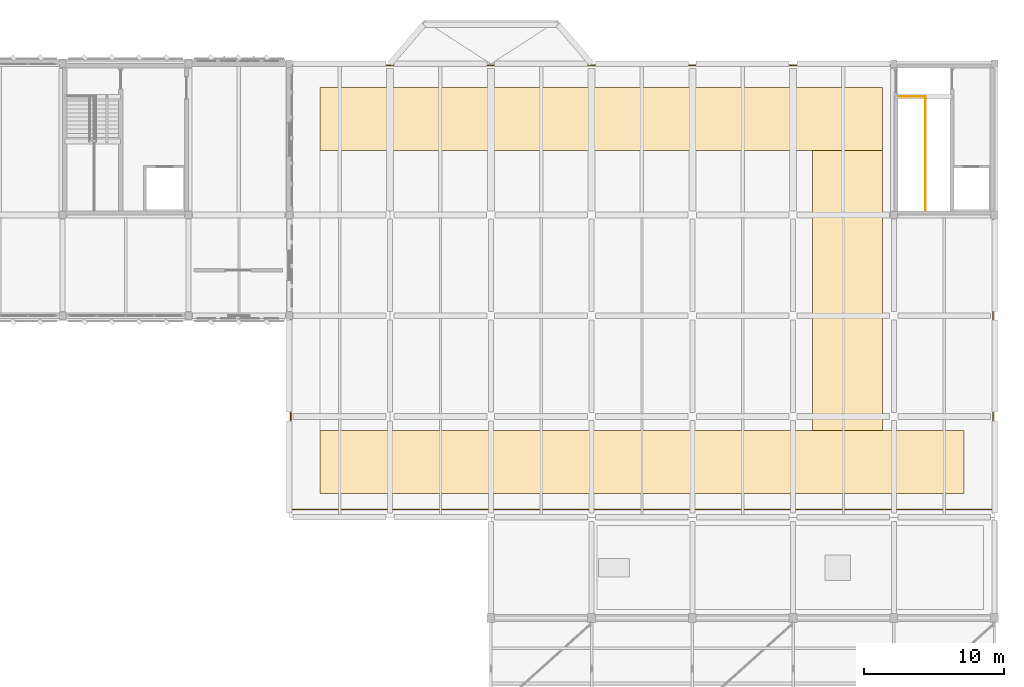
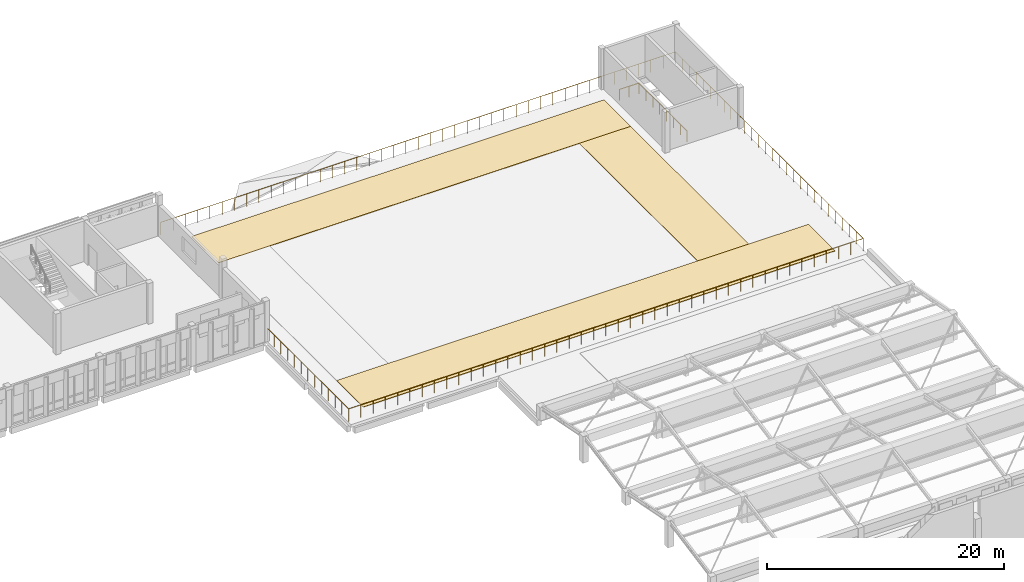
# One storey, part 72 of 72: 3 coverings, 2 railings.
"""IFC4 building model written with IfcOpenShell, lengths in metres."""

from ifc_helpers import new_model, si_unit, direction, frame, origin, origin_2d, place, context, subcontext, project, spatial, polyline, circle, outline, extrude, material, layer, layer_set, type_object, element, save


model = new_model("IFC4")

# Units and contexts
model_context = context("Model", 3, precision=1e-05, world=origin(), true_north=direction((0.0, 1.0)))
body_context = subcontext(model_context, "Body", "Model", "MODEL_VIEW")
ifc_project = project(units=[si_unit("LENGTHUNIT", "METRE"), si_unit("AREAUNIT", "SQUARE_METRE"), si_unit("VOLUMEUNIT", "CUBIC_METRE"), si_unit("PLANEANGLEUNIT", "RADIAN"), si_unit("MASSUNIT", "GRAM", prefix="KILO")], contexts=[model_context])

# Site, building, storey
site_placement = place(None, origin())
site = spatial("IfcSite", under=ifc_project, at=site_placement, CompositionType="ELEMENT")
building_placement = place(site_placement, origin())
building = spatial("IfcBuilding", under=site, at=building_placement, Name="Lusvemor Sports Hall", CompositionType="ELEMENT")
storey_placement = place(building_placement, frame((0.0, 0.0, 15.0)))
storey = spatial("IfcBuildingStorey", under=building, at=storey_placement, Name="L03", CompositionType="ELEMENT", Elevation=15.0)

# Coverings
ifc_material_1 = material(Name="Shock-absorbing red EPDM athletic running track surface")
ifc_layer = layer(ifc_material_1, 0.0439453125)
ifc_layer_set = layer_set([ifc_layer], Name="Shock-absorbing red EPDM athletic running track surface")
covering_type = type_object("IfcCoveringType", Name="COV_TRACK_EPDM", PredefinedType="FLOORING", material=ifc_layer_set)
covering_1_placement = place(storey_placement, origin())
element("IfcCovering", 1, at=covering_1_placement, inside=storey, type_object=covering_type, Name="Athletic EPDM Surface 1", PredefinedType="FLOORING", context=body_context, shape_type="SweptSolid", body=[
    extrude(outline(polyline([(121.0, 84.5), (167.0, 84.5), (167.0, 89.0), (121.0, 89.0), (121.0, 84.5)])), origin(), (0.0, 0.0, 1.0), 0.0439453125),
])
covering_2_placement = place(storey_placement, origin())
element("IfcCovering", 2, at=covering_2_placement, inside=storey, type_object=covering_type, Name="Athletic EPDM Surface 2", PredefinedType="FLOORING", context=body_context, shape_type="SweptSolid", body=[
    extrude(outline(polyline([(121.0, 109.0), (161.199951171875, 109.0), (161.199951171875, 113.5), (121.0, 113.5), (121.0, 109.0)])), origin(), (0.0, 0.0, 1.0), 0.0439453125),
])
covering_3_placement = place(storey_placement, origin())
element("IfcCovering", 3, at=covering_3_placement, inside=storey, type_object=covering_type, Name="Athletic EPDM Surface 4", PredefinedType="FLOORING", context=body_context, shape_type="SweptSolid", body=[
    extrude(outline(polyline([(156.199951171875, 89.0), (161.199951171875, 89.0), (161.199951171875, 109.0), (156.199951171875, 109.0), (156.199951171875, 89.0)])), origin(), (0.0, 0.0, 1.0), 0.0439453125),
])

# Railings
ifc_material_2 = material(Name="Bronze-finished wrought-steel Art Nouveau balustrade", Category="steel")
railing_type_1 = type_object("IfcRailingType", Name="RAIL_STAIR_GUARD_112", PredefinedType="GUARDRAIL", material=ifc_material_2)
railing_1_placement = place(storey_placement, frame((162.340087890625, 112.8701171875, 0.0)))
element("IfcRailing", 4, at=railing_1_placement, inside=storey, type_object=railing_type_1, Name="Stairwell C5 Top Guard (L03)", PredefinedType="GUARDRAIL", context=body_context, shape_type="SweptSolid", body=[
    extrude(circle(Radius=0.02392578125, at=origin_2d()), frame((0.0, 0.0, 1.09619140625), z_axis=(1.0, 0.0, 0.0), x_axis=(0.0, 1.0, 0.0)), (0.0, 0.0, 1.0), 1.919921875),
    extrude(circle(Radius=0.02392578125, at=origin_2d()), frame((1.919921875, 0.0, 1.09619140625), z_axis=(0.0, -1.0, 0.0), x_axis=(1.0, 0.0, 0.0)), (0.0, 0.0, 1.0), 8.130126953125),
    extrude(circle(Radius=0.02099609375, at=origin_2d()), origin(), (0.0, 0.0, 1.0), 1.072021484375),
    extrude(circle(Radius=0.02099609375, at=origin_2d()), frame((0.9599609375, 0.0, 0.0)), (0.0, 0.0, 1.0), 1.072021484375),
    extrude(circle(Radius=0.02099609375, at=origin_2d()), frame((1.919921875, 0.0, 0.0)), (0.0, 0.0, 1.0), 1.072021484375),
    extrude(circle(Radius=0.02099609375, at=origin_2d()), frame((1.919921875, -1.161376953125, 0.0)), (0.0, 0.0, 1.0), 1.072021484375),
    extrude(circle(Radius=0.02099609375, at=origin_2d()), frame((1.919921875, -2.322998046875, 0.0)), (0.0, 0.0, 1.0), 1.072021484375),
    extrude(circle(Radius=0.02099609375, at=origin_2d()), frame((1.919921875, -3.484375, 0.0)), (0.0, 0.0, 1.0), 1.072021484375),
    extrude(circle(Radius=0.02099609375, at=origin_2d()), frame((1.919921875, -4.645751953125, 0.0)), (0.0, 0.0, 1.0), 1.072021484375),
    extrude(circle(Radius=0.02099609375, at=origin_2d()), frame((1.919921875, -5.80712890625, 0.0)), (0.0, 0.0, 1.0), 1.072021484375),
    extrude(circle(Radius=0.02099609375, at=origin_2d()), frame((1.919921875, -6.96875, 0.0)), (0.0, 0.0, 1.0), 1.072021484375),
    extrude(circle(Radius=0.02099609375, at=origin_2d()), frame((1.919921875, -8.130126953125, 0.0)), (0.0, 0.0, 1.0), 1.072021484375),
])
ifc_material_3 = material(Name="Bronze-finished wrought-steel Art Nouveau balustrade", Category="steel")
railing_type_2 = type_object("IfcRailingType", Name="RAIL_TRACK_BAL_130", PredefinedType="BALUSTRADE", material=ifc_material_3)
railing_2_placement = place(storey_placement, frame((118.89990234375, 97.10009765625, 0.0)))
element("IfcRailing", 5, at=railing_2_placement, inside=storey, type_object=railing_type_2, Name="Oval Rooftop Running Track Balustrade", PredefinedType="BALUSTRADE", context=body_context, shape_type="SweptSolid", body=[
    extrude(circle(Radius=0.02392578125, at=origin_2d()), frame((0.0, 0.0, 1.27587890625), z_axis=(0.0, -1.0, 0.0), x_axis=(1.0, 0.0, 0.0)), (0.0, 0.0, 1.0), 13.75),
    extrude(circle(Radius=0.02392578125, at=origin_2d()), frame((0.0, -13.75, 1.27587890625), z_axis=(1.0, 0.0, 0.0), x_axis=(0.0, 1.0, 0.0)), (0.0, 0.0, 1.0), 50.18017578125),
    extrude(circle(Radius=0.02392578125, at=origin_2d()), frame((50.18017578125, -13.75, 1.27587890625), z_axis=(0.0, 1.0, 0.0), x_axis=(-1.0, 0.0, 0.0)), (0.0, 0.0, 1.0), 31.72998046875),
    extrude(circle(Radius=0.02392578125, at=origin_2d()), frame((50.18017578125, 17.97998046875, 1.27587890625), z_axis=(-1.0, 0.0, 0.0), x_axis=(0.0, -1.0, 0.0)), (0.0, 0.0, 1.0), 50.18017578125),
    extrude(circle(Radius=0.02099609375, at=origin_2d()), origin(), (0.0, 0.0, 1.0), 1.251953125),
    extrude(circle(Radius=0.02099609375, at=origin_2d()), frame((0.0, -1.145751953125, 0.0)), (0.0, 0.0, 1.0), 1.251953125),
    extrude(circle(Radius=0.02099609375, at=origin_2d()), frame((0.0, -2.291748046875, 0.0)), (0.0, 0.0, 1.0), 1.251953125),
    extrude(circle(Radius=0.02099609375, at=origin_2d()), frame((0.0, -3.4375, 0.0)), (0.0, 0.0, 1.0), 1.251953125),
    extrude(circle(Radius=0.02099609375, at=origin_2d()), frame((0.0, -4.583251953125, 0.0)), (0.0, 0.0, 1.0), 1.251953125),
    extrude(circle(Radius=0.02099609375, at=origin_2d()), frame((0.0, -5.729248046875, 0.0)), (0.0, 0.0, 1.0), 1.251953125),
    extrude(circle(Radius=0.02099609375, at=origin_2d()), frame((0.0, -6.875, 0.0)), (0.0, 0.0, 1.0), 1.251953125),
    extrude(circle(Radius=0.02099609375, at=origin_2d()), frame((0.0, -8.020751953125, 0.0)), (0.0, 0.0, 1.0), 1.251953125),
    extrude(circle(Radius=0.02099609375, at=origin_2d()), frame((0.0, -9.166748046875, 0.0)), (0.0, 0.0, 1.0), 1.251953125),
    extrude(circle(Radius=0.02099609375, at=origin_2d()), frame((0.0, -10.3125, 0.0)), (0.0, 0.0, 1.0), 1.251953125),
    extrude(circle(Radius=0.02099609375, at=origin_2d()), frame((0.0, -11.458251953125, 0.0)), (0.0, 0.0, 1.0), 1.251953125),
    extrude(circle(Radius=0.02099609375, at=origin_2d()), frame((0.0, -12.604248046875, 0.0)), (0.0, 0.0, 1.0), 1.251953125),
    extrude(circle(Radius=0.02099609375, at=origin_2d()), frame((0.0, -13.75, 0.0)), (0.0, 0.0, 1.0), 1.251953125),
    extrude(circle(Radius=0.02099609375, at=origin_2d()), frame((1.19482421875, -13.75, 0.0)), (0.0, 0.0, 1.0), 1.251953125),
    extrude(circle(Radius=0.02099609375, at=origin_2d()), frame((2.3896484375, -13.75, 0.0)), (0.0, 0.0, 1.0), 1.251953125),
    extrude(circle(Radius=0.02099609375, at=origin_2d()), frame((3.584228515625, -13.75, 0.0)), (0.0, 0.0, 1.0), 1.251953125),
    extrude(circle(Radius=0.02099609375, at=origin_2d()), frame((4.779052734375, -13.75, 0.0)), (0.0, 0.0, 1.0), 1.251953125),
    extrude(circle(Radius=0.02099609375, at=origin_2d()), frame((5.973876953125, -13.75, 0.0)), (0.0, 0.0, 1.0), 1.251953125),
    extrude(circle(Radius=0.02099609375, at=origin_2d()), frame((7.168701171875, -13.75, 0.0)), (0.0, 0.0, 1.0), 1.251953125),
    extrude(circle(Radius=0.02099609375, at=origin_2d()), frame((8.36328125, -13.75, 0.0)), (0.0, 0.0, 1.0), 1.251953125),
    extrude(circle(Radius=0.02099609375, at=origin_2d()), frame((9.55810546875, -13.75, 0.0)), (0.0, 0.0, 1.0), 1.251953125),
    extrude(circle(Radius=0.02099609375, at=origin_2d()), frame((10.7529296875, -13.75, 0.0)), (0.0, 0.0, 1.0), 1.251953125),
    extrude(circle(Radius=0.02099609375, at=origin_2d()), frame((11.94775390625, -13.75, 0.0)), (0.0, 0.0, 1.0), 1.251953125),
    extrude(circle(Radius=0.02099609375, at=origin_2d()), frame((13.142333984375, -13.75, 0.0)), (0.0, 0.0, 1.0), 1.251953125),
    extrude(circle(Radius=0.02099609375, at=origin_2d()), frame((14.337158203125, -13.75, 0.0)), (0.0, 0.0, 1.0), 1.251953125),
    extrude(circle(Radius=0.02099609375, at=origin_2d()), frame((15.531982421875, -13.75, 0.0)), (0.0, 0.0, 1.0), 1.251953125),
    extrude(circle(Radius=0.02099609375, at=origin_2d()), frame((16.726806640625, -13.75, 0.0)), (0.0, 0.0, 1.0), 1.251953125),
    extrude(circle(Radius=0.02099609375, at=origin_2d()), frame((17.92138671875, -13.75, 0.0)), (0.0, 0.0, 1.0), 1.251953125),
    extrude(circle(Radius=0.02099609375, at=origin_2d()), frame((19.1162109375, -13.75, 0.0)), (0.0, 0.0, 1.0), 1.251953125),
    extrude(circle(Radius=0.02099609375, at=origin_2d()), frame((20.31103515625, -13.75, 0.0)), (0.0, 0.0, 1.0), 1.251953125),
    extrude(circle(Radius=0.02099609375, at=origin_2d()), frame((21.505859375, -13.75, 0.0)), (0.0, 0.0, 1.0), 1.251953125),
    extrude(circle(Radius=0.02099609375, at=origin_2d()), frame((22.700439453125, -13.75, 0.0)), (0.0, 0.0, 1.0), 1.251953125),
    extrude(circle(Radius=0.02099609375, at=origin_2d()), frame((23.895263671875, -13.75, 0.0)), (0.0, 0.0, 1.0), 1.251953125),
    extrude(circle(Radius=0.02099609375, at=origin_2d()), frame((25.090087890625, -13.75, 0.0)), (0.0, 0.0, 1.0), 1.251953125),
    extrude(circle(Radius=0.02099609375, at=origin_2d()), frame((26.284912109375, -13.75, 0.0)), (0.0, 0.0, 1.0), 1.251953125),
    extrude(circle(Radius=0.02099609375, at=origin_2d()), frame((27.479736328125, -13.75, 0.0)), (0.0, 0.0, 1.0), 1.251953125),
    extrude(circle(Radius=0.02099609375, at=origin_2d()), frame((28.67431640625, -13.75, 0.0)), (0.0, 0.0, 1.0), 1.251953125),
    extrude(circle(Radius=0.02099609375, at=origin_2d()), frame((29.869140625, -13.75, 0.0)), (0.0, 0.0, 1.0), 1.251953125),
    extrude(circle(Radius=0.02099609375, at=origin_2d()), frame((31.06396484375, -13.75, 0.0)), (0.0, 0.0, 1.0), 1.251953125),
    extrude(circle(Radius=0.02099609375, at=origin_2d()), frame((32.2587890625, -13.75, 0.0)), (0.0, 0.0, 1.0), 1.251953125),
    extrude(circle(Radius=0.02099609375, at=origin_2d()), frame((33.453369140625, -13.75, 0.0)), (0.0, 0.0, 1.0), 1.251953125),
    extrude(circle(Radius=0.02099609375, at=origin_2d()), frame((34.648193359375, -13.75, 0.0)), (0.0, 0.0, 1.0), 1.251953125),
    extrude(circle(Radius=0.02099609375, at=origin_2d()), frame((35.843017578125, -13.75, 0.0)), (0.0, 0.0, 1.0), 1.251953125),
    extrude(circle(Radius=0.02099609375, at=origin_2d()), frame((37.037841796875, -13.75, 0.0)), (0.0, 0.0, 1.0), 1.251953125),
    extrude(circle(Radius=0.02099609375, at=origin_2d()), frame((38.232421875, -13.75, 0.0)), (0.0, 0.0, 1.0), 1.251953125),
    extrude(circle(Radius=0.02099609375, at=origin_2d()), frame((39.42724609375, -13.75, 0.0)), (0.0, 0.0, 1.0), 1.251953125),
    extrude(circle(Radius=0.02099609375, at=origin_2d()), frame((40.6220703125, -13.75, 0.0)), (0.0, 0.0, 1.0), 1.251953125),
    extrude(circle(Radius=0.02099609375, at=origin_2d()), frame((41.81689453125, -13.75, 0.0)), (0.0, 0.0, 1.0), 1.251953125),
    extrude(circle(Radius=0.02099609375, at=origin_2d()), frame((43.011474609375, -13.75, 0.0)), (0.0, 0.0, 1.0), 1.251953125),
    extrude(circle(Radius=0.02099609375, at=origin_2d()), frame((44.206298828125, -13.75, 0.0)), (0.0, 0.0, 1.0), 1.251953125),
    extrude(circle(Radius=0.02099609375, at=origin_2d()), frame((45.401123046875, -13.75, 0.0)), (0.0, 0.0, 1.0), 1.251953125),
    extrude(circle(Radius=0.02099609375, at=origin_2d()), frame((46.595947265625, -13.75, 0.0)), (0.0, 0.0, 1.0), 1.251953125),
    extrude(circle(Radius=0.02099609375, at=origin_2d()), frame((47.79052734375, -13.75, 0.0)), (0.0, 0.0, 1.0), 1.251953125),
    extrude(circle(Radius=0.02099609375, at=origin_2d()), frame((48.9853515625, -13.75, 0.0)), (0.0, 0.0, 1.0), 1.251953125),
    extrude(circle(Radius=0.02099609375, at=origin_2d()), frame((50.18017578125, -13.75, 0.0)), (0.0, 0.0, 1.0), 1.251953125),
    extrude(circle(Radius=0.02099609375, at=origin_2d()), frame((50.18017578125, -12.57470703125, 0.0)), (0.0, 0.0, 1.0), 1.251953125),
    extrude(circle(Radius=0.02099609375, at=origin_2d()), frame((50.18017578125, -11.399658203125, 0.0)), (0.0, 0.0, 1.0), 1.251953125),
    extrude(circle(Radius=0.02099609375, at=origin_2d()), frame((50.18017578125, -10.224365234375, 0.0)), (0.0, 0.0, 1.0), 1.251953125),
    extrude(circle(Radius=0.02099609375, at=origin_2d()), frame((50.18017578125, -9.04931640625, 0.0)), (0.0, 0.0, 1.0), 1.251953125),
    extrude(circle(Radius=0.02099609375, at=origin_2d()), frame((50.18017578125, -7.8740234375, 0.0)), (0.0, 0.0, 1.0), 1.251953125),
    extrude(circle(Radius=0.02099609375, at=origin_2d()), frame((50.18017578125, -6.698974609375, 0.0)), (0.0, 0.0, 1.0), 1.251953125),
    extrude(circle(Radius=0.02099609375, at=origin_2d()), frame((50.18017578125, -5.523681640625, 0.0)), (0.0, 0.0, 1.0), 1.251953125),
    extrude(circle(Radius=0.02099609375, at=origin_2d()), frame((50.18017578125, -4.3486328125, 0.0)), (0.0, 0.0, 1.0), 1.251953125),
    extrude(circle(Radius=0.02099609375, at=origin_2d()), frame((50.18017578125, -3.17333984375, 0.0)), (0.0, 0.0, 1.0), 1.251953125),
    extrude(circle(Radius=0.02099609375, at=origin_2d()), frame((50.18017578125, -1.998046875, 0.0)), (0.0, 0.0, 1.0), 1.251953125),
    extrude(circle(Radius=0.02099609375, at=origin_2d()), frame((50.18017578125, -0.822998046875, 0.0)), (0.0, 0.0, 1.0), 1.251953125),
    extrude(circle(Radius=0.02099609375, at=origin_2d()), frame((50.18017578125, 0.352294921875, 0.0)), (0.0, 0.0, 1.0), 1.251953125),
    extrude(circle(Radius=0.02099609375, at=origin_2d()), frame((50.18017578125, 1.52734375, 0.0)), (0.0, 0.0, 1.0), 1.251953125),
    extrude(circle(Radius=0.02099609375, at=origin_2d()), frame((50.18017578125, 2.70263671875, 0.0)), (0.0, 0.0, 1.0), 1.251953125),
    extrude(circle(Radius=0.02099609375, at=origin_2d()), frame((50.18017578125, 3.877685546875, 0.0)), (0.0, 0.0, 1.0), 1.251953125),
    extrude(circle(Radius=0.02099609375, at=origin_2d()), frame((50.18017578125, 5.052978515625, 0.0)), (0.0, 0.0, 1.0), 1.251953125),
    extrude(circle(Radius=0.02099609375, at=origin_2d()), frame((50.18017578125, 6.22802734375, 0.0)), (0.0, 0.0, 1.0), 1.251953125),
    extrude(circle(Radius=0.02099609375, at=origin_2d()), frame((50.18017578125, 7.4033203125, 0.0)), (0.0, 0.0, 1.0), 1.251953125),
    extrude(circle(Radius=0.02099609375, at=origin_2d()), frame((50.18017578125, 8.57861328125, 0.0)), (0.0, 0.0, 1.0), 1.251953125),
    extrude(circle(Radius=0.02099609375, at=origin_2d()), frame((50.18017578125, 9.753662109375, 0.0)), (0.0, 0.0, 1.0), 1.251953125),
    extrude(circle(Radius=0.02099609375, at=origin_2d()), frame((50.18017578125, 10.928955078125, 0.0)), (0.0, 0.0, 1.0), 1.251953125),
    extrude(circle(Radius=0.02099609375, at=origin_2d()), frame((50.18017578125, 12.10400390625, 0.0)), (0.0, 0.0, 1.0), 1.251953125),
    extrude(circle(Radius=0.02099609375, at=origin_2d()), frame((50.18017578125, 13.279296875, 0.0)), (0.0, 0.0, 1.0), 1.251953125),
    extrude(circle(Radius=0.02099609375, at=origin_2d()), frame((50.18017578125, 14.454345703125, 0.0)), (0.0, 0.0, 1.0), 1.251953125),
    extrude(circle(Radius=0.02099609375, at=origin_2d()), frame((50.18017578125, 15.629638671875, 0.0)), (0.0, 0.0, 1.0), 1.251953125),
    extrude(circle(Radius=0.02099609375, at=origin_2d()), frame((50.18017578125, 16.8046875, 0.0)), (0.0, 0.0, 1.0), 1.251953125),
    extrude(circle(Radius=0.02099609375, at=origin_2d()), frame((50.18017578125, 17.97998046875, 0.0)), (0.0, 0.0, 1.0), 1.251953125),
    extrude(circle(Radius=0.02099609375, at=origin_2d()), frame((48.9853515625, 17.97998046875, 0.0)), (0.0, 0.0, 1.0), 1.251953125),
    extrude(circle(Radius=0.02099609375, at=origin_2d()), frame((47.79052734375, 17.97998046875, 0.0)), (0.0, 0.0, 1.0), 1.251953125),
    extrude(circle(Radius=0.02099609375, at=origin_2d()), frame((46.595947265625, 17.97998046875, 0.0)), (0.0, 0.0, 1.0), 1.251953125),
    extrude(circle(Radius=0.02099609375, at=origin_2d()), frame((45.401123046875, 17.97998046875, 0.0)), (0.0, 0.0, 1.0), 1.251953125),
    extrude(circle(Radius=0.02099609375, at=origin_2d()), frame((44.206298828125, 17.97998046875, 0.0)), (0.0, 0.0, 1.0), 1.251953125),
    extrude(circle(Radius=0.02099609375, at=origin_2d()), frame((43.011474609375, 17.97998046875, 0.0)), (0.0, 0.0, 1.0), 1.251953125),
    extrude(circle(Radius=0.02099609375, at=origin_2d()), frame((41.81689453125, 17.97998046875, 0.0)), (0.0, 0.0, 1.0), 1.251953125),
    extrude(circle(Radius=0.02099609375, at=origin_2d()), frame((40.6220703125, 17.97998046875, 0.0)), (0.0, 0.0, 1.0), 1.251953125),
    extrude(circle(Radius=0.02099609375, at=origin_2d()), frame((39.42724609375, 17.97998046875, 0.0)), (0.0, 0.0, 1.0), 1.251953125),
    extrude(circle(Radius=0.02099609375, at=origin_2d()), frame((38.232421875, 17.97998046875, 0.0)), (0.0, 0.0, 1.0), 1.251953125),
    extrude(circle(Radius=0.02099609375, at=origin_2d()), frame((37.037841796875, 17.97998046875, 0.0)), (0.0, 0.0, 1.0), 1.251953125),
    extrude(circle(Radius=0.02099609375, at=origin_2d()), frame((35.843017578125, 17.97998046875, 0.0)), (0.0, 0.0, 1.0), 1.251953125),
    extrude(circle(Radius=0.02099609375, at=origin_2d()), frame((34.648193359375, 17.97998046875, 0.0)), (0.0, 0.0, 1.0), 1.251953125),
    extrude(circle(Radius=0.02099609375, at=origin_2d()), frame((33.453369140625, 17.97998046875, 0.0)), (0.0, 0.0, 1.0), 1.251953125),
    extrude(circle(Radius=0.02099609375, at=origin_2d()), frame((32.2587890625, 17.97998046875, 0.0)), (0.0, 0.0, 1.0), 1.251953125),
    extrude(circle(Radius=0.02099609375, at=origin_2d()), frame((31.06396484375, 17.97998046875, 0.0)), (0.0, 0.0, 1.0), 1.251953125),
    extrude(circle(Radius=0.02099609375, at=origin_2d()), frame((29.869140625, 17.97998046875, 0.0)), (0.0, 0.0, 1.0), 1.251953125),
    extrude(circle(Radius=0.02099609375, at=origin_2d()), frame((28.67431640625, 17.97998046875, 0.0)), (0.0, 0.0, 1.0), 1.251953125),
    extrude(circle(Radius=0.02099609375, at=origin_2d()), frame((27.479736328125, 17.97998046875, 0.0)), (0.0, 0.0, 1.0), 1.251953125),
    extrude(circle(Radius=0.02099609375, at=origin_2d()), frame((26.284912109375, 17.97998046875, 0.0)), (0.0, 0.0, 1.0), 1.251953125),
    extrude(circle(Radius=0.02099609375, at=origin_2d()), frame((25.090087890625, 17.97998046875, 0.0)), (0.0, 0.0, 1.0), 1.251953125),
    extrude(circle(Radius=0.02099609375, at=origin_2d()), frame((23.895263671875, 17.97998046875, 0.0)), (0.0, 0.0, 1.0), 1.251953125),
    extrude(circle(Radius=0.02099609375, at=origin_2d()), frame((22.700439453125, 17.97998046875, 0.0)), (0.0, 0.0, 1.0), 1.251953125),
    extrude(circle(Radius=0.02099609375, at=origin_2d()), frame((21.505859375, 17.97998046875, 0.0)), (0.0, 0.0, 1.0), 1.251953125),
    extrude(circle(Radius=0.02099609375, at=origin_2d()), frame((20.31103515625, 17.97998046875, 0.0)), (0.0, 0.0, 1.0), 1.251953125),
    extrude(circle(Radius=0.02099609375, at=origin_2d()), frame((19.1162109375, 17.97998046875, 0.0)), (0.0, 0.0, 1.0), 1.251953125),
    extrude(circle(Radius=0.02099609375, at=origin_2d()), frame((17.92138671875, 17.97998046875, 0.0)), (0.0, 0.0, 1.0), 1.251953125),
    extrude(circle(Radius=0.02099609375, at=origin_2d()), frame((16.726806640625, 17.97998046875, 0.0)), (0.0, 0.0, 1.0), 1.251953125),
    extrude(circle(Radius=0.02099609375, at=origin_2d()), frame((15.531982421875, 17.97998046875, 0.0)), (0.0, 0.0, 1.0), 1.251953125),
    extrude(circle(Radius=0.02099609375, at=origin_2d()), frame((14.337158203125, 17.97998046875, 0.0)), (0.0, 0.0, 1.0), 1.251953125),
    extrude(circle(Radius=0.02099609375, at=origin_2d()), frame((13.142333984375, 17.97998046875, 0.0)), (0.0, 0.0, 1.0), 1.251953125),
    extrude(circle(Radius=0.02099609375, at=origin_2d()), frame((11.94775390625, 17.97998046875, 0.0)), (0.0, 0.0, 1.0), 1.251953125),
    extrude(circle(Radius=0.02099609375, at=origin_2d()), frame((10.7529296875, 17.97998046875, 0.0)), (0.0, 0.0, 1.0), 1.251953125),
    extrude(circle(Radius=0.02099609375, at=origin_2d()), frame((9.55810546875, 17.97998046875, 0.0)), (0.0, 0.0, 1.0), 1.251953125),
    extrude(circle(Radius=0.02099609375, at=origin_2d()), frame((8.36328125, 17.97998046875, 0.0)), (0.0, 0.0, 1.0), 1.251953125),
    extrude(circle(Radius=0.02099609375, at=origin_2d()), frame((7.168701171875, 17.97998046875, 0.0)), (0.0, 0.0, 1.0), 1.251953125),
    extrude(circle(Radius=0.02099609375, at=origin_2d()), frame((5.973876953125, 17.97998046875, 0.0)), (0.0, 0.0, 1.0), 1.251953125),
    extrude(circle(Radius=0.02099609375, at=origin_2d()), frame((4.779052734375, 17.97998046875, 0.0)), (0.0, 0.0, 1.0), 1.251953125),
    extrude(circle(Radius=0.02099609375, at=origin_2d()), frame((3.584228515625, 17.97998046875, 0.0)), (0.0, 0.0, 1.0), 1.251953125),
    extrude(circle(Radius=0.02099609375, at=origin_2d()), frame((2.3896484375, 17.97998046875, 0.0)), (0.0, 0.0, 1.0), 1.251953125),
    extrude(circle(Radius=0.02099609375, at=origin_2d()), frame((1.19482421875, 17.97998046875, 0.0)), (0.0, 0.0, 1.0), 1.251953125),
    extrude(circle(Radius=0.02099609375, at=origin_2d()), frame((0.0, 17.97998046875, 0.0)), (0.0, 0.0, 1.0), 1.251953125),
])

save(model, "model.ifc")
